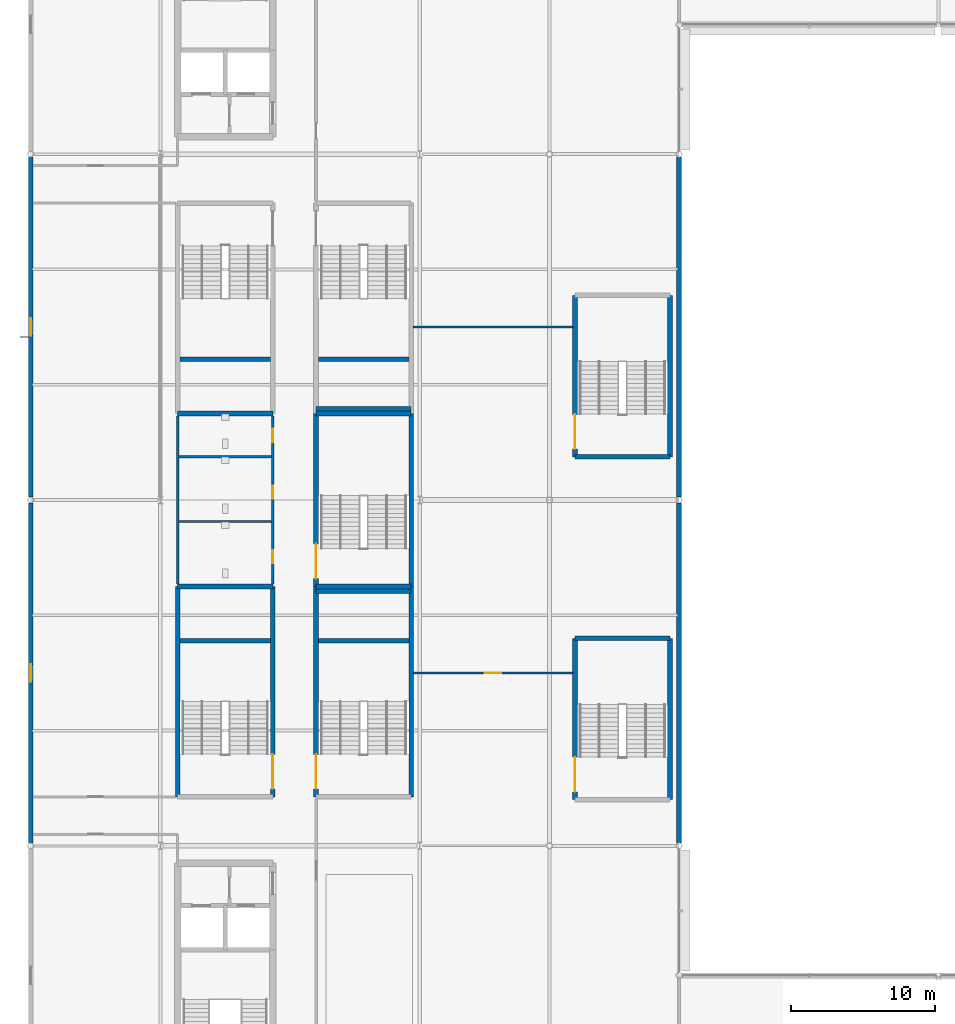
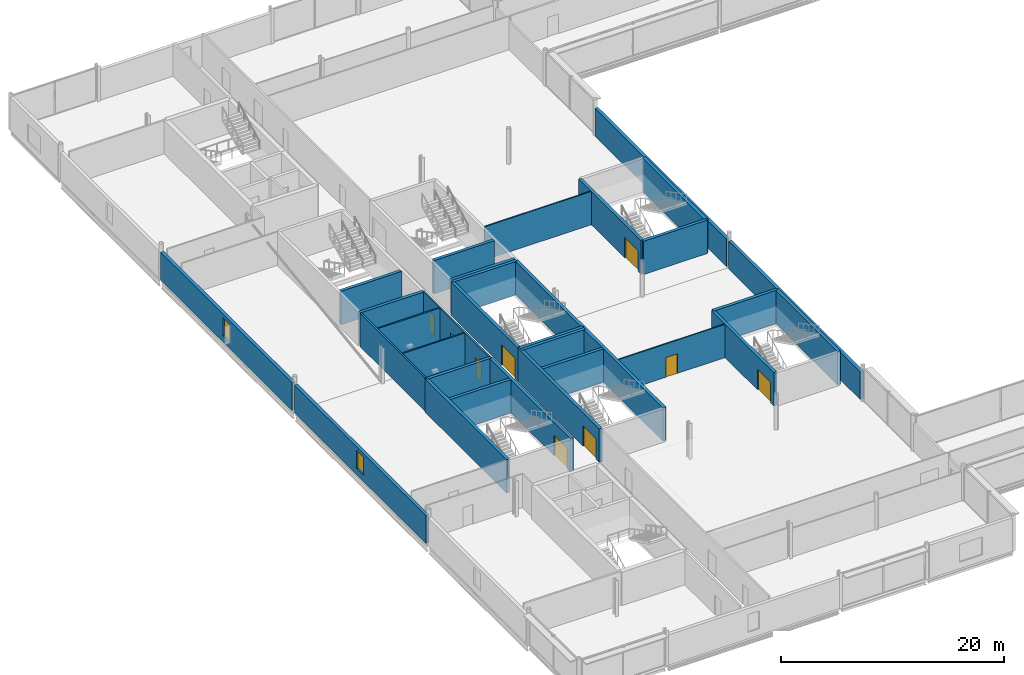
# One storey, part 54 of 96: 32 walls, 9 doors, 2 windows, 11 openings.
"""IFC4 building model written with IfcOpenShell, lengths in metres."""

import ifcopenshell
import ifcopenshell.guid

model = None  # the IFC model being written
_history = None  # IfcOwnerHistory: only IFC2X3 demands one
_inside = {}  # id of a spatial element -> (the spatial element, [elements in it])
_under = {}  # id of a project, library or spatial element -> (it, [spatial elements below it])
_declared = {}  # id of a project -> (the project, [libraries it declares])
_typed = {}  # id of a type object -> (the type object, [elements of that type])
_made_of = {}  # id of a material, layer set ... -> (it, [elements and type objects made of it])


def new_model(schema):
    """Start an empty IFC model of exactly this schema.

    Asked for "IFC4X3", IfcOpenShell would pick the latest addendum, in which some entities
    have other attributes; the version numbers below select the first issue.
    IFC2X3 requires an IfcOwnerHistory on every rooted entity: one is made here for all.
    """
    global model, _history
    if schema == "IFC4X3":
        model = ifcopenshell.file(schema_version=(4, 3, 0, 0))
    else:
        model = ifcopenshell.file(schema=schema)
    _inside.clear()
    _under.clear()
    _declared.clear()
    _typed.clear()
    _made_of.clear()
    _history = None
    if model.schema == "IFC2X3":
        org = make("IfcOrganization", Name="unknown")
        user = make(
            "IfcPersonAndOrganization",
            ThePerson=make("IfcPerson", FamilyName="unknown"),
            TheOrganization=org,
        )
        app = make(
            "IfcApplication",
            ApplicationDeveloper=org,
            Version="unknown",
            ApplicationFullName="unknown",
            ApplicationIdentifier="unknown",
        )
        _history = make(
            "IfcOwnerHistory",
            OwningUser=user,
            OwningApplication=app,
            ChangeAction="ADDED",
            CreationDate=0,
        )
    return model


def make(cls, **values):
    """One entity of the class cls with the attributes given. An attribute that is None is left unset."""
    return model.create_entity(
        cls, **{name: value for name, value in values.items() if value is not None}
    )


def rooted(cls, **values):
    """An entity with a GlobalId (a new one), such as an element, a storey or a relation."""
    return make(cls, GlobalId=ifcopenshell.guid.new(), OwnerHistory=_history, **values)


def si_unit(unit_type, name, prefix=None):
    """IfcSIUnit, for example si_unit("LENGTHUNIT", "METRE", prefix="MILLI")."""
    return make("IfcSIUnit", UnitType=unit_type, Prefix=prefix, Name=name)


def assignment(units):
    """IfcUnitAssignment: the units of a project."""
    return None if units is None else make("IfcUnitAssignment", Units=units)


def point(xyz):
    """IfcCartesianPoint."""
    return None if xyz is None else make("IfcCartesianPoint", Coordinates=xyz)


def direction(xyz):
    """IfcDirection."""
    return None if xyz is None else make("IfcDirection", DirectionRatios=xyz)


def frame(location, z_axis=None, x_axis=None):
    """IfcAxis2Placement3D, a coordinate frame: its origin and axes. An axis left out is left unset."""
    return make(
        "IfcAxis2Placement3D",
        Location=point(location),
        Axis=direction(z_axis),
        RefDirection=direction(x_axis),
    )


def frame_2d(location, x_axis=None):
    """IfcAxis2Placement2D, a coordinate frame in the plane: its origin and x axis."""
    return make(
        "IfcAxis2Placement2D", Location=point(location), RefDirection=direction(x_axis)
    )


def origin():
    """The frame at (0, 0, 0) with its axes left unset."""
    return frame((0.0, 0.0, 0.0))


def place(relative_to, where):
    """IfcLocalPlacement: puts the frame where relative to a parent placement (None: the world)."""
    return make(
        "IfcLocalPlacement", PlacementRelTo=relative_to, RelativePlacement=where
    )


def context(
    kind, dimensions, precision=None, world=None, true_north=None, identifier=None
):
    """IfcGeometricRepresentationContext, for example the 3D "Model" context."""
    return make(
        "IfcGeometricRepresentationContext",
        ContextIdentifier=identifier,
        ContextType=kind,
        CoordinateSpaceDimension=dimensions,
        Precision=precision,
        WorldCoordinateSystem=world,
        TrueNorth=true_north,
    )


def subcontext(parent, identifier, kind, view, scale=None):
    """IfcGeometricRepresentationSubContext, for example "Body" below "Model"."""
    return make(
        "IfcGeometricRepresentationSubContext",
        ContextIdentifier=identifier,
        ContextType=kind,
        ParentContext=parent,
        TargetScale=scale,
        TargetView=view,
    )


def project(units=None, contexts=None):
    """IfcProject with its units and contexts."""
    return rooted(
        "IfcProject",
        Name="project",
        RepresentationContexts=contexts,
        UnitsInContext=assignment(units),
    )


def spatial(cls, under=None, at=None, **own):
    """A site, building, storey or space (cls), placed at a placement, below another one or the project."""
    s = rooted(cls, ObjectPlacement=at, **own)
    if under is not None:
        _under.setdefault(under.id(), (under, []))[1].append(s)
    return s


def profile(cls, at=None, kind="AREA", **sizes):
    """A parametric profile (cls). Its sizes go by their IFC names, for example OverallWidth=200.0."""
    return make(cls, ProfileType=kind, Position=at, **sizes)


def rectangle(**sizes):
    """IfcRectangleProfileDef."""
    return profile("IfcRectangleProfileDef", **sizes)


def extrude(swept, where, along, depth):
    """IfcExtrudedAreaSolid: the profile swept, set in the frame where, extruded along a direction by depth."""
    return make(
        "IfcExtrudedAreaSolid",
        SweptArea=swept,
        Position=where,
        ExtrudedDirection=direction(along),
        Depth=depth,
    )


def shape(context_of_items, identifier, shape_type, items):
    """IfcShapeRepresentation: the items that make up one representation, for example the "Body"."""
    return make(
        "IfcShapeRepresentation",
        ContextOfItems=context_of_items,
        RepresentationIdentifier=identifier,
        RepresentationType=shape_type,
        Items=items,
    )


def material(Name=None, Category=None):
    """IfcMaterial."""
    return make("IfcMaterial", Name=Name, Category=Category)


def layer(
    of_material, thickness, ventilated=None, Name=None, Category=None, Priority=None
):
    """IfcMaterialLayer: one layer of a wall or slab, of a material (None: an air gap)."""
    return make(
        "IfcMaterialLayer",
        Material=of_material,
        LayerThickness=thickness,
        IsVentilated=ventilated,
        Name=Name,
        Category=Category,
        Priority=Priority,
    )


def layer_set(layers, Name=None):
    """IfcMaterialLayerSet."""
    return make("IfcMaterialLayerSet", MaterialLayers=layers, LayerSetName=Name)


def made_of(thing, what):
    """Note that an element or type object is made of a material, layer set ...; save() writes the relation."""
    if what is not None:
        _made_of.setdefault(what.id(), (what, []))[1].append(thing)
    return thing


def type_object(cls, material=None, **own):
    """A type object (cls), such as IfcWallType, which elements share."""
    return made_of(rooted(cls, **own), material)


def element(
    cls,
    number,
    at=None,
    inside=None,
    cuts=None,
    type_object=None,
    material=None,
    context=None,
    identifier="Body",
    shape_type=None,
    held_by="IfcProductDefinitionShape",
    body=None,
    shapes=None,
    **own,
):
    """One element of the class cls, such as IfcWall. Its Tag is "e" and its number.

    at: its placement. inside: the storey or other place that contains it. cuts: it is an
    opening in that element (IfcRelVoidsElement). A single representation is given by context,
    identifier, shape_type and body (its items); several are given by shapes. held_by: the class
    of the entity that holds the representations. save() writes the other relations.
    """
    e = rooted(cls, Tag="e%d" % number, ObjectPlacement=at, **own)
    if body is not None:
        shapes = [shape(context, identifier, shape_type, body)]
    if shapes is not None:
        e.Representation = make(held_by, Representations=shapes)
    if inside is not None:
        _inside.setdefault(inside.id(), (inside, []))[1].append(e)
    if cuts is not None:
        rooted(
            "IfcRelVoidsElement", RelatingBuildingElement=cuts, RelatedOpeningElement=e
        )
    if type_object is not None:
        _typed.setdefault(type_object.id(), (type_object, []))[1].append(e)
    return made_of(e, material)


def fill(opening, filler):
    """IfcRelFillsElement: the door or window that sits in an opening."""
    return rooted(
        "IfcRelFillsElement",
        RelatingOpeningElement=opening,
        RelatedBuildingElement=filler,
    )


def aggregate(whole, parts):
    """IfcRelAggregates: a whole, such as a stair, and the parts it consists of."""
    return rooted("IfcRelAggregates", RelatingObject=whole, RelatedObjects=parts)


def save(model, path):
    """Write the relations noted so far, then the file.

    IfcRelAggregates (storeys below a building ...), IfcRelContainedInSpatialStructure (elements
    in a storey), IfcRelDefinesByType, IfcRelAssociatesMaterial and IfcRelDeclares: one each for
    every whole, place, type object, material and project.
    """
    for whole, parts in _under.values():
        aggregate(whole, parts)
    for where, things in _inside.values():
        rooted(
            "IfcRelContainedInSpatialStructure",
            RelatedElements=things,
            RelatingStructure=where,
        )
    for kind, things in _typed.values():
        rooted("IfcRelDefinesByType", RelatedObjects=things, RelatingType=kind)
    for what, things in _made_of.values():
        rooted("IfcRelAssociatesMaterial", RelatedObjects=things, RelatingMaterial=what)
    for by, libraries in _declared.values():
        rooted("IfcRelDeclares", RelatingContext=by, RelatedDefinitions=libraries)
    model.write(path)


model = new_model("IFC4")

# Units and contexts
model_context = context("Model", 3, precision=1e-05, world=origin(), true_north=direction((0.0, 1.0)))
body_context = subcontext(model_context, "Body", "Model", "MODEL_VIEW")
ifc_project = project(units=[si_unit("LENGTHUNIT", "METRE"), si_unit("AREAUNIT", "SQUARE_METRE"), si_unit("VOLUMEUNIT", "CUBIC_METRE"), si_unit("PLANEANGLEUNIT", "RADIAN"), si_unit("MASSUNIT", "GRAM", prefix="KILO")], contexts=[model_context])

# Site, building, storey
site_placement = place(None, origin())
site = spatial("IfcSite", under=ifc_project, at=site_placement, CompositionType="ELEMENT")
building_placement = place(site_placement, origin())
building = spatial("IfcBuilding", under=site, at=building_placement, Name="Kisiwana Market Hall", CompositionType="ELEMENT")
storey_placement = place(building_placement, frame((0.0, 0.0, 25.5)))
storey = spatial("IfcBuildingStorey", under=building, at=storey_placement, Name="L05", CompositionType="ELEMENT", Elevation=25.5)

# Walls
ifc_material_1 = material(Name="Concrete C40/50", Category="concrete")
ifc_layer_1 = layer(ifc_material_1, 0.320068359375, Name="Reinforced concrete shaft wall")
ifc_layer_set_1 = layer_set([ifc_layer_1], Name="WL-CORE-320")
wall_type_1 = type_object("IfcWallType", Name="WL-CORE-320", PredefinedType="SHEAR", material=ifc_layer_set_1)
wall_1_placement = place(storey_placement, frame((10.199951171875, 54.0, 0.0), z_axis=(0.0, 0.0, 1.0), x_axis=(1.0, 0.0, 0.0)))
element("IfcWall", 1, at=wall_1_placement, inside=storey, type_object=wall_type_1, Name="Core W3 north shear wall W-1739", PredefinedType="SHEAR", context=body_context, shape_type="SweptSolid", body=[
    extrude(rectangle(XDim=6.60009765625, YDim=0.320068359375, at=frame_2d((3.300048828125, 0.0))), origin(), (0.0, 0.0, 1.0), 3.655029296875),
])
wall_2_placement = place(storey_placement, frame((10.199951171875, 39.39990234375, 0.0), z_axis=(0.0, 0.0, 1.0), x_axis=(0.0, 1.0, 0.0)))
element("IfcWall", 2, at=wall_2_placement, inside=storey, type_object=wall_type_1, Name="Core W3 outer shear wall W-1740", PredefinedType="SHEAR", context=body_context, shape_type="SweptSolid", body=[
    extrude(rectangle(XDim=14.60009765625, YDim=0.320068359375, at=frame_2d((7.300048828125, 0.0))), origin(), (0.0, 0.0, 1.0), 3.655029296875),
])

# Wall, opening, door
wall_3_placement = place(storey_placement, frame((16.800048828125, 39.39990234375, 0.0), z_axis=(0.0, 0.0, 1.0), x_axis=(0.0, 1.0, 0.0)))
wall_3 = element("IfcWall", 3, at=wall_3_placement, inside=storey, type_object=wall_type_1, Name="Core W3 corridor shear wall W-1741", PredefinedType="SHEAR", context=body_context, shape_type="SweptSolid", body=[
    extrude(rectangle(XDim=14.60009765625, YDim=0.320068359375, at=frame_2d((7.300048828125, 0.0))), origin(), (0.0, 0.0, 1.0), 3.655029296875),
])
opening_1_placement = place(wall_3_placement, frame((0.550048828125, 0.0, 0.0)))
opening_1 = element("IfcOpeningElement", 4, at=opening_1_placement, cuts=wall_3, Name="Opening DR-L05-013", PredefinedType="OPENING", context=body_context, shape_type="SweptSolid", body=[
    extrude(rectangle(XDim=2.39990234375, YDim=2.25, at=frame_2d((1.199951171875, 1.125))), frame((0.0, 0.171875, 0.0), z_axis=(0.0, -1.0, 0.0), x_axis=(1.0, 0.0, 0.0)), (0.0, 0.0, 1.0), 0.343994140625),
])
ifc_material_2 = material(Name="Steel S275", Category="steel")
door_type_1 = type_object("IfcDoorType", Name="DR-STAIR-FD120-2400", OperationType="DOUBLE_DOOR_SINGLE_SWING", PredefinedType="DOOR", material=ifc_material_2)
door_1_placement = place(opening_1_placement, origin())
door_1 = element("IfcDoor", 5, at=door_1_placement, inside=storey, type_object=door_type_1, Name="Escape Stair W3 Fire Door (L05)", OperationType="DOUBLE_DOOR_SINGLE_SWING", OverallHeight=2.25, OverallWidth=2.39990234375, PredefinedType="DOOR", context=body_context, shape_type="SweptSolid", body=[
    extrude(rectangle(XDim=2.39990234375, YDim=2.25, at=frame_2d((1.199951171875, 1.125))), frame((0.0, 0.02490234375, 0.0), z_axis=(0.0, -1.0, 0.0), x_axis=(1.0, 0.0, 0.0)), (0.0, 0.0, 1.0), 0.050048828125),
])
fill(opening_1, door_1)

# Walls
wall_4_placement = place(storey_placement, frame((10.360107421875, 50.219970703125, 0.0), z_axis=(0.0, 0.0, 1.0), x_axis=(1.0, 0.0, 0.0)))
element("IfcWall", 6, at=wall_4_placement, inside=storey, type_object=wall_type_1, Name="Core W3 riser divider shear wall W-1742", PredefinedType="SHEAR", context=body_context, shape_type="SweptSolid", body=[
    extrude(rectangle(XDim=6.27978515625, YDim=0.320068359375, at=frame_2d((3.139892578125, 0.0))), origin(), (0.0, 0.0, 1.0), 3.655029296875),
])
wall_5_placement = place(storey_placement, frame((10.199951171875, 66.0, 0.0), z_axis=(0.0, 0.0, 1.0), x_axis=(1.0, 0.0, 0.0)))
element("IfcWall", 7, at=wall_5_placement, inside=storey, type_object=wall_type_1, Name="Core W4 south shear wall W-1743", PredefinedType="SHEAR", context=body_context, shape_type="SweptSolid", body=[
    extrude(rectangle(XDim=6.60009765625, YDim=0.320068359375, at=frame_2d((3.300048828125, 0.0))), origin(), (0.0, 0.0, 1.0), 3.655029296875),
])
wall_6_placement = place(storey_placement, frame((10.360107421875, 69.780029296875, 0.0), z_axis=(0.0, 0.0, 1.0), x_axis=(1.0, 0.0, 0.0)))
element("IfcWall", 8, at=wall_6_placement, inside=storey, type_object=wall_type_1, Name="Core W4 riser divider shear wall W-1747", PredefinedType="SHEAR", context=body_context, shape_type="SweptSolid", body=[
    extrude(rectangle(XDim=6.27978515625, YDim=0.320068359375, at=frame_2d((3.139892578125, 0.0))), origin(), (0.0, 0.0, 1.0), 3.655029296875),
])
wall_7_placement = place(storey_placement, frame((19.800048828125, 54.0, 0.0), z_axis=(0.0, 0.0, 1.0), x_axis=(1.0, 0.0, 0.0)))
element("IfcWall", 9, at=wall_7_placement, inside=storey, type_object=wall_type_1, Name="Core W7 north shear wall W-1759", PredefinedType="SHEAR", context=body_context, shape_type="SweptSolid", body=[
    extrude(rectangle(XDim=6.599853515625, YDim=0.320068359375, at=frame_2d((3.2998046875, 0.0))), origin(), (0.0, 0.0, 1.0), 3.655029296875),
])

# Wall, opening, door
wall_8_placement = place(storey_placement, frame((19.800048828125, 39.39990234375, 0.0), z_axis=(0.0, 0.0, 1.0), x_axis=(0.0, 1.0, 0.0)))
wall_8 = element("IfcWall", 10, at=wall_8_placement, inside=storey, type_object=wall_type_1, Name="Core W7 corridor shear wall W-1760", PredefinedType="SHEAR", context=body_context, shape_type="SweptSolid", body=[
    extrude(rectangle(XDim=14.60009765625, YDim=0.320068359375, at=frame_2d((7.300048828125, 0.0))), origin(), (0.0, 0.0, 1.0), 3.655029296875),
])
opening_2_placement = place(wall_8_placement, frame((0.550048828125, 0.0, 0.0)))
opening_2 = element("IfcOpeningElement", 11, at=opening_2_placement, cuts=wall_8, Name="Opening DR-L05-017", PredefinedType="OPENING", context=body_context, shape_type="SweptSolid", body=[
    extrude(rectangle(XDim=2.39990234375, YDim=2.25, at=frame_2d((1.199951171875, 1.125))), frame((0.0, 0.171875, 0.0), z_axis=(0.0, -1.0, 0.0), x_axis=(1.0, 0.0, 0.0)), (0.0, 0.0, 1.0), 0.343994140625),
])
door_2_placement = place(opening_2_placement, frame((2.39990234375, 0.0, 0.0), z_axis=(0.0, 0.0, 1.0), x_axis=(-1.0, 0.0, 0.0)))
door_2 = element("IfcDoor", 12, at=door_2_placement, inside=storey, type_object=door_type_1, Name="Escape Stair W7 Fire Door (L05)", OperationType="DOUBLE_DOOR_SINGLE_SWING", OverallHeight=2.25, OverallWidth=2.39990234375, PredefinedType="DOOR", context=body_context, shape_type="SweptSolid", body=[
    extrude(rectangle(XDim=2.39990234375, YDim=2.25, at=frame_2d((1.199951171875, 1.125))), frame((0.0, 0.02490234375, 0.0), z_axis=(0.0, -1.0, 0.0), x_axis=(1.0, 0.0, 0.0)), (0.0, 0.0, 1.0), 0.050048828125),
])
fill(opening_2, door_2)

# Walls
wall_9_placement = place(storey_placement, frame((26.39990234375, 39.39990234375, 0.0), z_axis=(0.0, 0.0, 1.0), x_axis=(0.0, 1.0, 0.0)))
element("IfcWall", 13, at=wall_9_placement, inside=storey, type_object=wall_type_1, Name="Core W7 outer shear wall W-1761", PredefinedType="SHEAR", context=body_context, shape_type="SweptSolid", body=[
    extrude(rectangle(XDim=14.60009765625, YDim=0.320068359375, at=frame_2d((7.300048828125, 0.0))), origin(), (0.0, 0.0, 1.0), 3.655029296875),
])
wall_10_placement = place(storey_placement, frame((19.9599609375, 50.219970703125, 0.0), z_axis=(0.0, 0.0, 1.0), x_axis=(1.0, 0.0, 0.0)))
element("IfcWall", 14, at=wall_10_placement, inside=storey, type_object=wall_type_1, Name="Core W7 riser divider shear wall W-1762", PredefinedType="SHEAR", context=body_context, shape_type="SweptSolid", body=[
    extrude(rectangle(XDim=6.280029296875, YDim=0.320068359375, at=frame_2d((3.14013671875, 0.0))), origin(), (0.0, 0.0, 1.0), 3.655029296875),
])
wall_11_placement = place(storey_placement, frame((19.800048828125, 66.0, 0.0), z_axis=(0.0, 0.0, 1.0), x_axis=(1.0, 0.0, 0.0)))
element("IfcWall", 15, at=wall_11_placement, inside=storey, type_object=wall_type_1, Name="Core W8 south shear wall W-1768", PredefinedType="SHEAR", context=body_context, shape_type="SweptSolid", body=[
    extrude(rectangle(XDim=6.599853515625, YDim=0.320068359375, at=frame_2d((3.2998046875, 0.0))), origin(), (0.0, 0.0, 1.0), 3.655029296875),
])
wall_12_placement = place(storey_placement, frame((19.9599609375, 69.780029296875, 0.0), z_axis=(0.0, 0.0, 1.0), x_axis=(1.0, 0.0, 0.0)))
element("IfcWall", 16, at=wall_12_placement, inside=storey, type_object=wall_type_1, Name="Core W8 riser divider shear wall W-1772", PredefinedType="SHEAR", context=body_context, shape_type="SweptSolid", body=[
    extrude(rectangle(XDim=6.280029296875, YDim=0.320068359375, at=frame_2d((3.14013671875, 0.0))), origin(), (0.0, 0.0, 1.0), 3.655029296875),
])
wall_13_placement = place(storey_placement, frame((37.77001953125, 50.39990234375, 0.0), z_axis=(0.0, 0.0, 1.0), x_axis=(1.0, 0.0, 0.0)))
element("IfcWall", 17, at=wall_13_placement, inside=storey, type_object=wall_type_1, Name="Core W9 north shear wall W-1779", PredefinedType="SHEAR", context=body_context, shape_type="SweptSolid", body=[
    extrude(rectangle(XDim=6.60009765625, YDim=0.320068359375, at=frame_2d((3.300048828125, 0.0))), origin(), (0.0, 0.0, 1.0), 3.655029296875),
])

# Wall, opening, door
wall_14_placement = place(storey_placement, frame((37.77001953125, 39.199951171875, 0.0), z_axis=(0.0, 0.0, 1.0), x_axis=(0.0, 1.0, 0.0)))
wall_14 = element("IfcWall", 18, at=wall_14_placement, inside=storey, type_object=wall_type_1, Name="Core W9 corridor shear wall W-1780", PredefinedType="SHEAR", context=body_context, shape_type="SweptSolid", body=[
    extrude(rectangle(XDim=11.199951171875, YDim=0.320068359375, at=frame_2d((5.60009765625, 0.0))), origin(), (0.0, 0.0, 1.0), 3.655029296875),
])
opening_3_placement = place(wall_14_placement, frame((0.550048828125, 0.0, 0.0)))
opening_3 = element("IfcOpeningElement", 19, at=opening_3_placement, cuts=wall_14, Name="Opening DR-L05-021", PredefinedType="OPENING", context=body_context, shape_type="SweptSolid", body=[
    extrude(rectangle(XDim=2.39990234375, YDim=2.25, at=frame_2d((1.199951171875, 1.125))), frame((0.0, 0.171875, 0.0), z_axis=(0.0, -1.0, 0.0), x_axis=(1.0, 0.0, 0.0)), (0.0, 0.0, 1.0), 0.343994140625),
])
door_3_placement = place(opening_3_placement, frame((2.39990234375, 0.0, 0.0), z_axis=(0.0, 0.0, 1.0), x_axis=(-1.0, 0.0, 0.0)))
door_3 = element("IfcDoor", 20, at=door_3_placement, inside=storey, type_object=door_type_1, Name="Escape Stair W9 Fire Door (L05)", OperationType="DOUBLE_DOOR_SINGLE_SWING", OverallHeight=2.25, OverallWidth=2.39990234375, PredefinedType="DOOR", context=body_context, shape_type="SweptSolid", body=[
    extrude(rectangle(XDim=2.39990234375, YDim=2.25, at=frame_2d((1.199951171875, 1.125))), frame((0.0, 0.02490234375, 0.0), z_axis=(0.0, -1.0, 0.0), x_axis=(1.0, 0.0, 0.0)), (0.0, 0.0, 1.0), 0.050048828125),
])
fill(opening_3, door_3)

# Walls
wall_15_placement = place(storey_placement, frame((44.3701171875, 39.199951171875, 0.0), z_axis=(0.0, 0.0, 1.0), x_axis=(0.0, 1.0, 0.0)))
element("IfcWall", 21, at=wall_15_placement, inside=storey, type_object=wall_type_1, Name="Core W9 outer shear wall W-1781", PredefinedType="SHEAR", context=body_context, shape_type="SweptSolid", body=[
    extrude(rectangle(XDim=11.199951171875, YDim=0.320068359375, at=frame_2d((5.60009765625, 0.0))), origin(), (0.0, 0.0, 1.0), 3.655029296875),
])
wall_16_placement = place(storey_placement, frame((37.77001953125, 63.0, 0.0), z_axis=(0.0, 0.0, 1.0), x_axis=(1.0, 0.0, 0.0)))
element("IfcWall", 22, at=wall_16_placement, inside=storey, type_object=wall_type_1, Name="Core W10 south shear wall W-1786", PredefinedType="SHEAR", context=body_context, shape_type="SweptSolid", body=[
    extrude(rectangle(XDim=6.60009765625, YDim=0.320068359375, at=frame_2d((3.300048828125, 0.0))), origin(), (0.0, 0.0, 1.0), 3.655029296875),
])

# Wall, opening, door
wall_17_placement = place(storey_placement, frame((37.77001953125, 63.0, 0.0), z_axis=(0.0, 0.0, 1.0), x_axis=(0.0, 1.0, 0.0)))
wall_17 = element("IfcWall", 23, at=wall_17_placement, inside=storey, type_object=wall_type_1, Name="Core W10 corridor shear wall W-1788", PredefinedType="SHEAR", context=body_context, shape_type="SweptSolid", body=[
    extrude(rectangle(XDim=11.199951171875, YDim=0.320068359375, at=frame_2d((5.60009765625, 0.0))), origin(), (0.0, 0.0, 1.0), 3.655029296875),
])
opening_4_placement = place(wall_17_placement, frame((0.550048828125, 0.0, 0.0)))
opening_4 = element("IfcOpeningElement", 24, at=opening_4_placement, cuts=wall_17, Name="Opening DR-L05-023", PredefinedType="OPENING", context=body_context, shape_type="SweptSolid", body=[
    extrude(rectangle(XDim=2.39990234375, YDim=2.25, at=frame_2d((1.199951171875, 1.125))), frame((0.0, 0.171875, 0.0), z_axis=(0.0, -1.0, 0.0), x_axis=(1.0, 0.0, 0.0)), (0.0, 0.0, 1.0), 0.343994140625),
])
door_4_placement = place(opening_4_placement, frame((2.39990234375, 0.0, 0.0), z_axis=(0.0, 0.0, 1.0), x_axis=(-1.0, 0.0, 0.0)))
door_4 = element("IfcDoor", 25, at=door_4_placement, inside=storey, type_object=door_type_1, Name="Escape Stair W10 Fire Door (L05)", OperationType="DOUBLE_DOOR_SINGLE_SWING", OverallHeight=2.25, OverallWidth=2.39990234375, PredefinedType="DOOR", context=body_context, shape_type="SweptSolid", body=[
    extrude(rectangle(XDim=2.39990234375, YDim=2.25, at=frame_2d((1.199951171875, 1.125))), frame((0.0, 0.02490234375, 0.0), z_axis=(0.0, -1.0, 0.0), x_axis=(1.0, 0.0, 0.0)), (0.0, 0.0, 1.0), 0.050048828125),
])
fill(opening_4, door_4)

# Walls
wall_18_placement = place(storey_placement, frame((44.3701171875, 63.0, 0.0), z_axis=(0.0, 0.0, 1.0), x_axis=(0.0, 1.0, 0.0)))
element("IfcWall", 26, at=wall_18_placement, inside=storey, type_object=wall_type_1, Name="Core W10 outer shear wall W-1789", PredefinedType="SHEAR", context=body_context, shape_type="SweptSolid", body=[
    extrude(rectangle(XDim=11.199951171875, YDim=0.320068359375, at=frame_2d((5.60009765625, 0.0))), origin(), (0.0, 0.0, 1.0), 3.655029296875),
])
for number, where, z_axis, x_axis, name in (
    (27, (19.800048828125, 53.679931640625, 0.0), (0.0, 0.0, 1.0), (1.0, 0.0, 0.0), "Core W5 south shear wall W-1794"),
    (28, (19.800048828125, 66.320068359375, 0.0), (0.0, 0.0, 1.0), (1.0, 0.0, 0.0), "Core W5 north shear wall W-1795"),
):
    element("IfcWall", number, at=place(storey_placement, frame(where, z_axis=z_axis, x_axis=x_axis)), inside=storey, type_object=wall_type_1, Name=name, PredefinedType="SHEAR", context=body_context, shape_type="SweptSolid", body=[
        extrude(rectangle(XDim=6.599853515625, YDim=0.320068359375, at=frame_2d((3.2998046875, 0.0))), origin(), (0.0, 0.0, 1.0), 3.655029296875),
    ])

# Wall, opening, door
wall_19_placement = place(storey_placement, frame((19.800048828125, 54.0, 0.0), z_axis=(0.0, 0.0, 1.0), x_axis=(0.0, 1.0, 0.0)))
wall_19 = element("IfcWall", 29, at=wall_19_placement, inside=storey, type_object=wall_type_1, Name="Core W5 corridor shear wall W-1796", PredefinedType="SHEAR", context=body_context, shape_type="SweptSolid", body=[
    extrude(rectangle(XDim=12.0, YDim=0.320068359375, at=frame_2d((6.0, 0.0))), origin(), (0.0, 0.0, 1.0), 3.655029296875),
])
opening_5_placement = place(wall_19_placement, frame((0.550048828125, 0.0, 0.0)))
opening_5 = element("IfcOpeningElement", 30, at=opening_5_placement, cuts=wall_19, Name="Opening DR-L05-025", PredefinedType="OPENING", context=body_context, shape_type="SweptSolid", body=[
    extrude(rectangle(XDim=2.39990234375, YDim=2.25, at=frame_2d((1.199951171875, 1.125))), frame((0.0, 0.171875, 0.0), z_axis=(0.0, -1.0, 0.0), x_axis=(1.0, 0.0, 0.0)), (0.0, 0.0, 1.0), 0.343994140625),
])
door_5_placement = place(opening_5_placement, frame((2.39990234375, 0.0, 0.0), z_axis=(0.0, 0.0, 1.0), x_axis=(-1.0, 0.0, 0.0)))
door_5 = element("IfcDoor", 31, at=door_5_placement, inside=storey, type_object=door_type_1, Name="Escape Stair W5 Fire Door (L05)", OperationType="DOUBLE_DOOR_SINGLE_SWING", OverallHeight=2.25, OverallWidth=2.39990234375, PredefinedType="DOOR", context=body_context, shape_type="SweptSolid", body=[
    extrude(rectangle(XDim=2.39990234375, YDim=2.25, at=frame_2d((1.199951171875, 1.125))), frame((0.0, 0.02490234375, 0.0), z_axis=(0.0, -1.0, 0.0), x_axis=(1.0, 0.0, 0.0)), (0.0, 0.0, 1.0), 0.050048828125),
])
fill(opening_5, door_5)

# Walls
wall_20_placement = place(storey_placement, frame((26.39990234375, 54.0, 0.0), z_axis=(0.0, 0.0, 1.0), x_axis=(0.0, 1.0, 0.0)))
element("IfcWall", 32, at=wall_20_placement, inside=storey, type_object=wall_type_1, Name="Core W5 outer shear wall W-1797", PredefinedType="SHEAR", context=body_context, shape_type="SweptSolid", body=[
    extrude(rectangle(XDim=12.0, YDim=0.320068359375, at=frame_2d((6.0, 0.0))), origin(), (0.0, 0.0, 1.0), 3.655029296875),
])
ifc_material_3 = material(Name="Masonry blockwork", Category="masonry")
ifc_layer_2 = layer(ifc_material_3, 0.169921875, Name="Protected corridor partition")
ifc_layer_set_2 = layer_set([ifc_layer_2], Name="WL-CORR-170")
wall_type_2 = type_object("IfcWallType", Name="WL-CORR-170", PredefinedType="PARTITIONING", material=ifc_layer_set_2)
wall_21_placement = place(storey_placement, frame((10.199951171875, 54.159912109375, 0.0), z_axis=(0.0, 0.0, 1.0), x_axis=(0.0, 1.0, 0.0)))
element("IfcWall", 33, at=wall_21_placement, inside=storey, type_object=wall_type_2, Name="Interior partition W-1830", PredefinedType="PARTITIONING", context=body_context, shape_type="SweptSolid", body=[
    extrude(rectangle(XDim=11.68017578125, YDim=0.169921875, at=frame_2d((5.840087890625, 0.0))), origin(), (0.0, 0.0, 1.0), 3.655029296875),
])

# Wall, openings, doors
wall_22_placement = place(storey_placement, frame((16.800048828125, 54.159912109375, 0.0), z_axis=(0.0, 0.0, 1.0), x_axis=(0.0, 1.0, 0.0)))
wall_22 = element("IfcWall", 34, at=wall_22_placement, inside=storey, type_object=wall_type_2, Name="Interior partition W-1831", PredefinedType="PARTITIONING", context=body_context, shape_type="SweptSolid", body=[
    extrude(rectangle(XDim=11.68017578125, YDim=0.169921875, at=frame_2d((5.840087890625, 0.0))), origin(), (0.0, 0.0, 1.0), 3.655029296875),
])
opening_6_placement = place(wall_22_placement, frame((1.43994140625, 0.0, 0.0)))
opening_6 = element("IfcOpeningElement", 35, at=opening_6_placement, cuts=wall_22, Name="Opening DR-L05-027", PredefinedType="OPENING", context=body_context, shape_type="SweptSolid", body=[
    extrude(rectangle(XDim=0.89990234375, YDim=2.10009765625, at=frame_2d((0.449951171875, 1.050048828125))), frame((0.0, 0.096923828125, 0.0), z_axis=(0.0, -1.0, 0.0), x_axis=(1.0, 0.0, 0.0)), (0.0, 0.0, 1.0), 0.19384765625),
])
opening_7_placement = place(wall_22_placement, frame((5.93994140625, 0.0, 0.0)))
opening_7 = element("IfcOpeningElement", 36, at=opening_7_placement, cuts=wall_22, Name="Opening DR-L05-028", PredefinedType="OPENING", context=body_context, shape_type="SweptSolid", body=[
    extrude(rectangle(XDim=0.89990234375, YDim=2.10009765625, at=frame_2d((0.449951171875, 1.050048828125))), frame((0.0, 0.096923828125, 0.0), z_axis=(0.0, -1.0, 0.0), x_axis=(1.0, 0.0, 0.0)), (0.0, 0.0, 1.0), 0.19384765625),
])
opening_8_placement = place(wall_22_placement, frame((9.840087890625, 0.0, 0.0)))
opening_8 = element("IfcOpeningElement", 37, at=opening_8_placement, cuts=wall_22, Name="Opening DR-L05-029", PredefinedType="OPENING", context=body_context, shape_type="SweptSolid", body=[
    extrude(rectangle(XDim=0.949951171875, YDim=2.10009765625, at=frame_2d((0.47509765625, 1.050048828125))), frame((0.0, 0.096923828125, 0.0), z_axis=(0.0, -1.0, 0.0), x_axis=(1.0, 0.0, 0.0)), (0.0, 0.0, 1.0), 0.19384765625),
])
ifc_material_4 = material(Name="Aluminium alloy 6063-T6", Category="aluminium")
door_type_2 = type_object("IfcDoorType", Name="DR-WC-ACC-950", OperationType="NOTDEFINED", PredefinedType="DOOR", material=ifc_material_4)
door_6_placement = place(opening_8_placement, origin())
door_6 = element("IfcDoor", 38, at=door_6_placement, inside=storey, type_object=door_type_2, Name="L05 W Accessible WC Door", OperationType="SINGLE_SWING_RIGHT", OverallHeight=2.10009765625, OverallWidth=0.949951171875, PredefinedType="DOOR", context=body_context, shape_type="SweptSolid", body=[
    extrude(rectangle(XDim=0.949951171875, YDim=2.10009765625, at=frame_2d((0.47509765625, 1.050048828125))), frame((0.0, 0.02490234375, 0.0), z_axis=(0.0, -1.0, 0.0), x_axis=(1.0, 0.0, 0.0)), (0.0, 0.0, 1.0), 0.050048828125),
])
fill(opening_8, door_6)
ifc_material_5 = material(Name="Aluminium alloy 6063-T6", Category="aluminium")
door_type_3 = type_object("IfcDoorType", Name="DR-WC-STD-900", OperationType="NOTDEFINED", PredefinedType="DOOR", material=ifc_material_5)
door_7_placement = place(opening_6_placement, origin())
door_7 = element("IfcDoor", 39, at=door_7_placement, inside=storey, type_object=door_type_3, Name="L05 W Male Toilet Door", OperationType="SINGLE_SWING_LEFT", OverallHeight=2.10009765625, OverallWidth=0.89990234375, PredefinedType="DOOR", context=body_context, shape_type="SweptSolid", body=[
    extrude(rectangle(XDim=0.89990234375, YDim=2.10009765625, at=frame_2d((0.449951171875, 1.050048828125))), frame((0.0, 0.02490234375, 0.0), z_axis=(0.0, -1.0, 0.0), x_axis=(1.0, 0.0, 0.0)), (0.0, 0.0, 1.0), 0.050048828125),
])
fill(opening_6, door_7)
door_8_placement = place(opening_7_placement, origin())
door_8 = element("IfcDoor", 40, at=door_8_placement, inside=storey, type_object=door_type_3, Name="L05 W Female Toilet Door", OperationType="SINGLE_SWING_RIGHT", OverallHeight=2.10009765625, OverallWidth=0.89990234375, PredefinedType="DOOR", context=body_context, shape_type="SweptSolid", body=[
    extrude(rectangle(XDim=0.89990234375, YDim=2.10009765625, at=frame_2d((0.449951171875, 1.050048828125))), frame((0.0, 0.02490234375, 0.0), z_axis=(0.0, -1.0, 0.0), x_axis=(1.0, 0.0, 0.0)), (0.0, 0.0, 1.0), 0.050048828125),
])
fill(opening_7, door_8)

# Wall, opening, window
ifc_material_6 = material(Name="Concrete C40/50 precast", Category="concrete")
ifc_layer_3 = layer(ifc_material_6, 0.14990234375, Name="Precast architectural concrete spandrel")
ifc_material_7 = material(Name="Mineral wool insulation")
ifc_layer_4 = layer(ifc_material_7, 0.090087890625, Name="Rockwool thermal insulation")
ifc_material_8 = material(Name="Masonry blockwork", Category="masonry")
ifc_layer_5 = layer(ifc_material_8, 0.10009765625, Name="Inner masonry block leaf")
ifc_layer_set_3 = layer_set([ifc_layer_3, ifc_layer_4, ifc_layer_5], Name="WL-EXT-PREC-340")
wall_type_3 = type_object("IfcWallType", Name="WL-EXT-PREC-340", PredefinedType="STANDARD", material=ifc_layer_set_3)
wall_23_placement = place(storey_placement, frame((0.0, 36.205078125, 0.0), z_axis=(0.0, 0.0, 1.0), x_axis=(0.0, 1.0, 0.0)))
wall_23 = element("IfcWall", 41, at=wall_23_placement, inside=storey, type_object=wall_type_3, Name="Exterior wall W-1813", PredefinedType="STANDARD", context=body_context, shape_type="SweptSolid", body=[
    extrude(rectangle(XDim=23.58984375, YDim=0.340087890625, at=frame_2d((11.794921875, 0.0))), origin(), (0.0, 0.0, 1.0), 3.042724609375),
])
opening_9_placement = place(wall_23_placement, frame((11.19482421875, 0.0, 0.699951171875)))
opening_9 = element("IfcOpeningElement", 42, at=opening_9_placement, cuts=wall_23, Name="Opening WN-15", PredefinedType="OPENING", context=body_context, shape_type="SweptSolid", body=[
    extrude(rectangle(XDim=1.199951171875, YDim=1.949951171875, at=frame_2d((0.60009765625, 0.97509765625))), frame((0.0, 0.18212890625, 0.0), z_axis=(0.0, -1.0, 0.0), x_axis=(1.0, 0.0, 0.0)), (0.0, 0.0, 1.0), 0.364013671875),
])
ifc_material_9 = material(Name="Double-glazed solar-control low-E IGU", Category="glass")
window_type = type_object("IfcWindowType", Name="WN-OFFA-1200x1950", PartitioningType="SINGLE_PANEL", PredefinedType="WINDOW", material=ifc_material_9)
window_1_placement = place(opening_9_placement, origin())
window_1 = element("IfcWindow", 43, at=window_1_placement, inside=storey, type_object=window_type, Name="Exterior window WN-172", OverallHeight=1.949951171875, OverallWidth=1.199951171875, PartitioningType="SINGLE_PANEL", PredefinedType="WINDOW", context=body_context, shape_type="SweptSolid", body=[
    extrude(rectangle(XDim=1.199951171875, YDim=1.949951171875, at=frame_2d((0.60009765625, 0.97509765625))), frame((0.0, 0.030029296875, 0.0), z_axis=(0.0, -1.0, 0.0), x_axis=(1.0, 0.0, 0.0)), (0.0, 0.0, 1.0), 0.06005859375),
])
fill(opening_9, window_1)

wall_24_placement = place(storey_placement, frame((0.0, 60.205078125, 0.0), z_axis=(0.0, 0.0, 1.0), x_axis=(0.0, 1.0, 0.0)))
wall_24 = element("IfcWall", 44, at=wall_24_placement, inside=storey, type_object=wall_type_3, Name="Exterior wall W-1814", PredefinedType="STANDARD", context=body_context, shape_type="SweptSolid", body=[
    extrude(rectangle(XDim=23.58984375, YDim=0.340087890625, at=frame_2d((11.794921875, 0.0))), origin(), (0.0, 0.0, 1.0), 3.042724609375),
])
opening_10_placement = place(wall_24_placement, frame((11.19482421875, 0.0, 0.699951171875)))
opening_10 = element("IfcOpeningElement", 45, at=opening_10_placement, cuts=wall_24, Name="Opening WN-15", PredefinedType="OPENING", context=body_context, shape_type="SweptSolid", body=[
    extrude(rectangle(XDim=1.199951171875, YDim=1.949951171875, at=frame_2d((0.60009765625, 0.97509765625))), frame((0.0, 0.18212890625, 0.0), z_axis=(0.0, -1.0, 0.0), x_axis=(1.0, 0.0, 0.0)), (0.0, 0.0, 1.0), 0.364013671875),
])
window_2_placement = place(opening_10_placement, origin())
window_2 = element("IfcWindow", 46, at=window_2_placement, inside=storey, type_object=window_type, Name="Exterior window WN-173", OverallHeight=1.949951171875, OverallWidth=1.199951171875, PartitioningType="SINGLE_PANEL", PredefinedType="WINDOW", context=body_context, shape_type="SweptSolid", body=[
    extrude(rectangle(XDim=1.199951171875, YDim=1.949951171875, at=frame_2d((0.60009765625, 0.97509765625))), frame((0.0, 0.030029296875, 0.0), z_axis=(0.0, -1.0, 0.0), x_axis=(1.0, 0.0, 0.0)), (0.0, 0.0, 1.0), 0.06005859375),
])
fill(opening_10, window_2)

# Walls
for number, where, z_axis, x_axis, name in (
    (47, (45.0, 36.205078125, 0.0), (0.0, 0.0, 1.0), (0.0, 1.0, 0.0), "Exterior wall W-1817"),
    (48, (45.0, 60.205078125, 0.0), (0.0, 0.0, 1.0), (0.0, 1.0, 0.0), "Exterior wall W-1818"),
):
    element("IfcWall", number, at=place(storey_placement, frame(where, z_axis=z_axis, x_axis=x_axis)), inside=storey, type_object=wall_type_3, Name=name, PredefinedType="STANDARD", context=body_context, shape_type="SweptSolid", body=[
        extrude(rectangle(XDim=23.58984375, YDim=0.340087890625, at=frame_2d((11.794921875, 0.0))), origin(), (0.0, 0.0, 1.0), 3.042724609375),
    ])

# Wall, opening, door
ifc_material_10 = material(Name="Gypsum plasterboard")
ifc_layer_6 = layer(ifc_material_10, 0.125, Name="Double gypsum board + acoustic stud")
ifc_layer_set_4 = layer_set([ifc_layer_6], Name="WL-OFF-125")
wall_type_4 = type_object("IfcWallType", Name="WL-OFF-125", PredefinedType="PARTITIONING", material=ifc_layer_set_4)
wall_25_placement = place(storey_placement, frame((26.56005859375, 48.0, 0.0), z_axis=(0.0, 0.0, 1.0), x_axis=(1.0, 0.0, 0.0)))
wall_25 = element("IfcWall", 49, at=wall_25_placement, inside=storey, type_object=wall_type_4, Name="Interior partition W-1848", PredefinedType="PARTITIONING", context=body_context, shape_type="SweptSolid", body=[
    extrude(rectangle(XDim=11.050048828125, YDim=0.125, at=frame_2d((5.52490234375, 0.0))), origin(), (0.0, 0.0, 1.0), 3.655029296875),
])
opening_11_placement = place(wall_25_placement, frame((4.949951171875, 0.0, 0.0)))
opening_11 = element("IfcOpeningElement", 50, at=opening_11_placement, cuts=wall_25, Name="Opening DR-L05-036", PredefinedType="OPENING", context=body_context, shape_type="SweptSolid", body=[
    extrude(rectangle(XDim=1.14990234375, YDim=2.14990234375, at=frame_2d((0.574951171875, 1.074951171875))), frame((0.0, 0.074462890625, 0.0), z_axis=(0.0, -1.0, 0.0), x_axis=(1.0, 0.0, 0.0)), (0.0, 0.0, 1.0), 0.14892578125),
])
ifc_material_11 = material(Name="Aluminium alloy 6063-T6", Category="aluminium")
door_type_4 = type_object("IfcDoorType", Name="DR-MEET-1150", OperationType="NOTDEFINED", PredefinedType="DOOR", material=ifc_material_11)
door_9_placement = place(opening_11_placement, origin())
door_9 = element("IfcDoor", 51, at=door_9_placement, inside=storey, type_object=door_type_4, Name="L05 W Open-Plan Office A3 Door", OperationType="SINGLE_SWING_RIGHT", OverallHeight=2.14990234375, OverallWidth=1.14990234375, PredefinedType="DOOR", context=body_context, shape_type="SweptSolid", body=[
    extrude(rectangle(XDim=1.14990234375, YDim=2.14990234375, at=frame_2d((0.574951171875, 1.074951171875))), frame((0.0, 0.02490234375, 0.0), z_axis=(0.0, -1.0, 0.0), x_axis=(1.0, 0.0, 0.0)), (0.0, 0.0, 1.0), 0.050048828125),
])
fill(opening_11, door_9)

# Walls
wall_26_placement = place(storey_placement, frame((26.56005859375, 72.0, 0.0), z_axis=(0.0, 0.0, 1.0), x_axis=(1.0, 0.0, 0.0)))
element("IfcWall", 52, at=wall_26_placement, inside=storey, type_object=wall_type_4, Name="Interior partition W-1849", PredefinedType="PARTITIONING", context=body_context, shape_type="SweptSolid", body=[
    extrude(rectangle(XDim=11.050048828125, YDim=0.125, at=frame_2d((5.52490234375, 0.0))), origin(), (0.0, 0.0, 1.0), 3.655029296875),
])
ifc_material_12 = material(Name="Masonry blockwork", Category="masonry")
ifc_layer_7 = layer(ifc_material_12, 0.14990234375, Name="Water-resistant sanitary block wall")
ifc_layer_set_5 = layer_set([ifc_layer_7], Name="WL-WET-150")
wall_type_5 = type_object("IfcWallType", Name="WL-WET-150", PredefinedType="PARTITIONING", material=ifc_layer_set_5)
for number, where, z_axis, x_axis, name in (
    (53, (10.284912109375, 58.5, 0.0), (0.0, 0.0, 1.0), (1.0, 0.0, 0.0), "Interior partition W-1832"),
    (54, (10.284912109375, 63.0, 0.0), (0.0, 0.0, 1.0), (1.0, 0.0, 0.0), "Interior partition W-1833"),
):
    element("IfcWall", number, at=place(storey_placement, frame(where, z_axis=z_axis, x_axis=x_axis)), inside=storey, type_object=wall_type_5, Name=name, PredefinedType="PARTITIONING", context=body_context, shape_type="SweptSolid", body=[
        extrude(rectangle(XDim=6.43017578125, YDim=0.14990234375, at=frame_2d((3.215087890625, 0.0))), origin(), (0.0, 0.0, 1.0), 3.655029296875),
    ])

save(model, "model.ifc")
